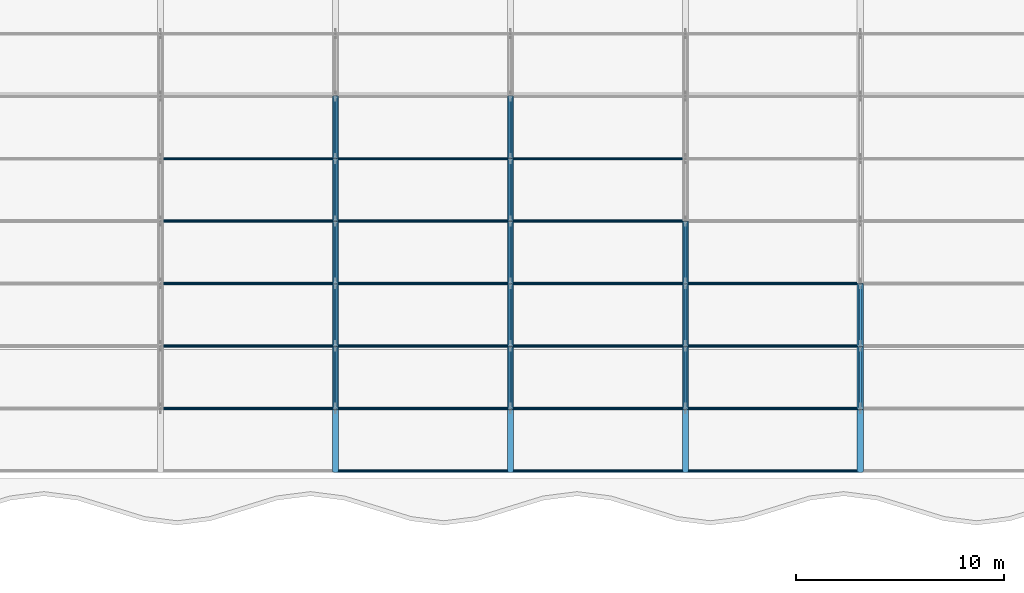
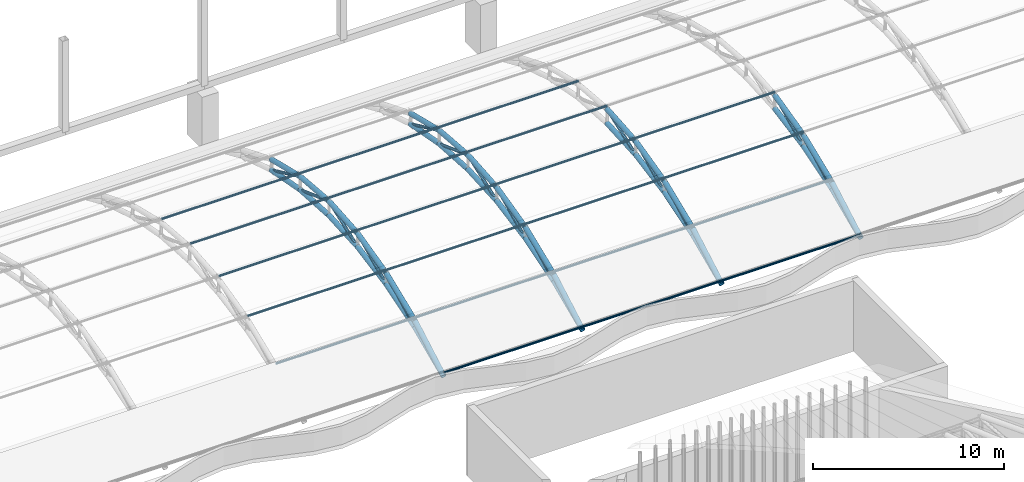
# One storey, part 51 of 163: 74 members.
"""IFC4 building model written with IfcOpenShell, lengths in metres."""

from ifc_helpers import new_model, si_unit, direction, frame, origin, origin_2d, place, context, subcontext, project, spatial, hollow_circle, extrude, material, material_profile, profile_set, type_object, element, save


model = new_model("IFC4")

# Units and contexts
model_context = context("Model", 3, precision=1e-05, world=origin(), true_north=direction((0.0, 1.0)))
body_context = subcontext(model_context, "Body", "Model", "MODEL_VIEW")
ifc_project = project(units=[si_unit("LENGTHUNIT", "METRE"), si_unit("AREAUNIT", "SQUARE_METRE"), si_unit("VOLUMEUNIT", "CUBIC_METRE"), si_unit("PLANEANGLEUNIT", "RADIAN"), si_unit("MASSUNIT", "GRAM", prefix="KILO")], contexts=[model_context])

# Site, building, storey
site_placement = place(None, origin())
site = spatial("IfcSite", under=ifc_project, at=site_placement, CompositionType="ELEMENT")
building_placement = place(site_placement, origin())
building = spatial("IfcBuilding", under=site, at=building_placement, Name="Rain Tree Exposition and Congress Centre", CompositionType="ELEMENT")
storey_placement = place(building_placement, frame((0.0, 0.0, 10.5)))
storey = spatial("IfcBuildingStorey", under=building, at=storey_placement, Name="L02", CompositionType="ELEMENT", Elevation=10.5)

# Members
ifc_material_1 = material(Name="Steel S355J2H", Category="steel")
ifc_material_profile_1 = material_profile(ifc_material_1, hollow_circle(Radius=0.090087890625, WallThickness=0.008056640625, at=origin_2d()), Name="CHS 180x8")
ifc_profile_set_1 = profile_set([ifc_material_profile_1], Name="Steel S355J2H")
member_type_1 = type_object("IfcMemberType", Name="Steel brace member CHS 180x8", PredefinedType="BRACE", material=ifc_profile_set_1)
member_1_placement = place(storey_placement, frame((193.199951171875, 78.60009765625, 1.4423828125), z_axis=(0.0, 0.880818418444, 0.473454236151), x_axis=(-1.0, 0.0, 0.0)))
element("IfcMember", 1, at=member_1_placement, inside=storey, type_object=member_type_1, Name="Roof truss 24 diagonal 1", PredefinedType="BRACE", context=body_context, shape_type="SweptSolid", body=[
    extrude(hollow_circle(Radius=0.090087890625, WallThickness=0.008056640625, at=origin_2d()), origin(), (0.0, 0.0, 1.0), 3.406005859375),
])
member_2_placement = place(storey_placement, frame((193.199951171875, 81.60009765625, 2.3798828125), z_axis=(0.0, 0.905430616583, 0.424494285655), x_axis=(-1.0, 0.0, 0.0)))
element("IfcMember", 2, at=member_2_placement, inside=storey, type_object=member_type_1, Name="Roof truss 24 diagonal 2", PredefinedType="BRACE", context=body_context, shape_type="SweptSolid", body=[
    extrude(hollow_circle(Radius=0.090087890625, WallThickness=0.008056640625, at=origin_2d()), origin(), (0.0, 0.0, 1.0), 3.313232421875),
])
for number, where, z_axis, x_axis, name in (
    (3, (193.199951171875, 84.60009765625, 2.9423828125), (0.0, 0.940121356633, 0.340839896143), (-1.0, 0.0, 0.0), "Roof truss 24 diagonal 3"),
    (4, (193.199951171875, 90.60009765625, 2.9423828125), (0.0, -0.940121356633, 0.340839896143), (1.0, 0.0, 0.0), "Roof truss 24 diagonal 4"),
):
    element("IfcMember", number, at=place(storey_placement, frame(where, z_axis=z_axis, x_axis=x_axis)), inside=storey, type_object=member_type_1, Name=name, PredefinedType="BRACE", context=body_context, shape_type="SweptSolid", body=[
        extrude(hollow_circle(Radius=0.090087890625, WallThickness=0.008056640625, at=origin_2d()), origin(), (0.0, 0.0, 1.0), 3.191162109375),
    ])
member_3_placement = place(storey_placement, frame((193.199951171875, 93.60009765625, 2.3798828125), z_axis=(0.0, -0.905430616583, 0.424494285655), x_axis=(1.0, 0.0, 0.0)))
element("IfcMember", 5, at=member_3_placement, inside=storey, type_object=member_type_1, Name="Roof truss 24 diagonal 5", PredefinedType="BRACE", context=body_context, shape_type="SweptSolid", body=[
    extrude(hollow_circle(Radius=0.090087890625, WallThickness=0.008056640625, at=origin_2d()), origin(), (0.0, 0.0, 1.0), 3.313232421875),
])
member_4_placement = place(storey_placement, frame((201.60009765625, 78.60009765625, 1.4423828125), z_axis=(0.0, 0.880818418444, 0.473454236151), x_axis=(-1.0, 0.0, 0.0)))
element("IfcMember", 6, at=member_4_placement, inside=storey, type_object=member_type_1, Name="Roof truss 25 diagonal 1", PredefinedType="BRACE", context=body_context, shape_type="SweptSolid", body=[
    extrude(hollow_circle(Radius=0.090087890625, WallThickness=0.008056640625, at=origin_2d()), origin(), (0.0, 0.0, 1.0), 3.406005859375),
])
member_5_placement = place(storey_placement, frame((201.60009765625, 81.60009765625, 2.3798828125), z_axis=(0.0, 0.905430616583, 0.424494285655), x_axis=(-1.0, 0.0, 0.0)))
element("IfcMember", 7, at=member_5_placement, inside=storey, type_object=member_type_1, Name="Roof truss 25 diagonal 2", PredefinedType="BRACE", context=body_context, shape_type="SweptSolid", body=[
    extrude(hollow_circle(Radius=0.090087890625, WallThickness=0.008056640625, at=origin_2d()), origin(), (0.0, 0.0, 1.0), 3.313232421875),
])
for number, where, z_axis, x_axis, name in (
    (8, (201.60009765625, 84.60009765625, 2.9423828125), (0.0, 0.940121356633, 0.340839896143), (-1.0, 0.0, 0.0), "Roof truss 25 diagonal 3"),
    (9, (201.60009765625, 90.60009765625, 2.9423828125), (0.0, -0.940121356633, 0.340839896143), (1.0, 0.0, 0.0), "Roof truss 25 diagonal 4"),
):
    element("IfcMember", number, at=place(storey_placement, frame(where, z_axis=z_axis, x_axis=x_axis)), inside=storey, type_object=member_type_1, Name=name, PredefinedType="BRACE", context=body_context, shape_type="SweptSolid", body=[
        extrude(hollow_circle(Radius=0.090087890625, WallThickness=0.008056640625, at=origin_2d()), origin(), (0.0, 0.0, 1.0), 3.191162109375),
    ])
member_6_placement = place(storey_placement, frame((201.60009765625, 93.60009765625, 2.3798828125), z_axis=(0.0, -0.905430616583, 0.424494285655), x_axis=(1.0, 0.0, 0.0)))
element("IfcMember", 10, at=member_6_placement, inside=storey, type_object=member_type_1, Name="Roof truss 25 diagonal 5", PredefinedType="BRACE", context=body_context, shape_type="SweptSolid", body=[
    extrude(hollow_circle(Radius=0.090087890625, WallThickness=0.008056640625, at=origin_2d()), origin(), (0.0, 0.0, 1.0), 3.313232421875),
])
member_7_placement = place(storey_placement, frame((210.0, 78.60009765625, 1.4423828125), z_axis=(0.0, 0.880818418444, 0.473454236151), x_axis=(-1.0, 0.0, 0.0)))
element("IfcMember", 11, at=member_7_placement, inside=storey, type_object=member_type_1, Name="Roof truss 26 diagonal 1", PredefinedType="BRACE", context=body_context, shape_type="SweptSolid", body=[
    extrude(hollow_circle(Radius=0.090087890625, WallThickness=0.008056640625, at=origin_2d()), origin(), (0.0, 0.0, 1.0), 3.406005859375),
])
member_8_placement = place(storey_placement, frame((210.0, 81.60009765625, 2.3798828125), z_axis=(0.0, 0.905430616583, 0.424494285655), x_axis=(-1.0, 0.0, 0.0)))
element("IfcMember", 12, at=member_8_placement, inside=storey, type_object=member_type_1, Name="Roof truss 26 diagonal 2", PredefinedType="BRACE", context=body_context, shape_type="SweptSolid", body=[
    extrude(hollow_circle(Radius=0.090087890625, WallThickness=0.008056640625, at=origin_2d()), origin(), (0.0, 0.0, 1.0), 3.313232421875),
])
member_9_placement = place(storey_placement, frame((210.0, 84.60009765625, 2.9423828125), z_axis=(0.0, 0.940121356633, 0.340839896143), x_axis=(-1.0, 0.0, 0.0)))
element("IfcMember", 13, at=member_9_placement, inside=storey, type_object=member_type_1, Name="Roof truss 26 diagonal 3", PredefinedType="BRACE", context=body_context, shape_type="SweptSolid", body=[
    extrude(hollow_circle(Radius=0.090087890625, WallThickness=0.008056640625, at=origin_2d()), origin(), (0.0, 0.0, 1.0), 3.191162109375),
])
member_10_placement = place(storey_placement, frame((218.39990234375, 78.60009765625, 1.4423828125), z_axis=(0.0, 0.880818418444, 0.473454236151), x_axis=(-1.0, 0.0, 0.0)))
element("IfcMember", 14, at=member_10_placement, inside=storey, type_object=member_type_1, Name="Roof truss 27 diagonal 1", PredefinedType="BRACE", context=body_context, shape_type="SweptSolid", body=[
    extrude(hollow_circle(Radius=0.090087890625, WallThickness=0.008056640625, at=origin_2d()), origin(), (0.0, 0.0, 1.0), 3.406005859375),
])
member_11_placement = place(storey_placement, frame((218.39990234375, 81.60009765625, 2.3798828125), z_axis=(0.0, 0.905430616583, 0.424494285655), x_axis=(-1.0, 0.0, 0.0)))
element("IfcMember", 15, at=member_11_placement, inside=storey, type_object=member_type_1, Name="Roof truss 27 diagonal 2", PredefinedType="BRACE", context=body_context, shape_type="SweptSolid", body=[
    extrude(hollow_circle(Radius=0.090087890625, WallThickness=0.008056640625, at=origin_2d()), origin(), (0.0, 0.0, 1.0), 3.313232421875),
])
ifc_material_2 = material(Name="Steel S355J2H", Category="steel")
ifc_material_profile_2 = material_profile(ifc_material_2, hollow_circle(Radius=0.14990234375, WallThickness=0.013916015625, at=origin_2d()), Name="CHS 300x14")
ifc_profile_set_2 = profile_set([ifc_material_profile_2], Name="Steel S355J2H")
member_type_2 = type_object("IfcMemberType", Name="Steel chord member CHS 300x14", PredefinedType="CHORD", material=ifc_profile_set_2)
member_12_placement = place(storey_placement, frame((193.199951171875, 75.60009765625, 0.1298828125), z_axis=(0.0, 0.869238262324, 0.494393409455), x_axis=(-1.0, 0.0, 0.0)))
element("IfcMember", 16, at=member_12_placement, inside=storey, type_object=member_type_2, Name="Roof truss 24 top chord 1", PredefinedType="CHORD", context=body_context, shape_type="SweptSolid", body=[
    extrude(hollow_circle(Radius=0.14990234375, WallThickness=0.013916015625, at=origin_2d()), origin(), (0.0, 0.0, 1.0), 3.451416015625),
])
member_13_placement = place(storey_placement, frame((193.199951171875, 75.60009765625, 0.1298828125), z_axis=(0.0, 0.916157334902, 0.40081883402), x_axis=(-1.0, 0.0, 0.0)))
element("IfcMember", 17, at=member_13_placement, inside=storey, type_object=member_type_2, Name="Roof truss 24 bottom chord 1", PredefinedType="CHORD", context=body_context, shape_type="SweptSolid", body=[
    extrude(hollow_circle(Radius=0.14990234375, WallThickness=0.013916015625, at=origin_2d()), origin(), (0.0, 0.0, 1.0), 3.274658203125),
])
member_14_placement = place(storey_placement, frame((193.199951171875, 78.60009765625, 1.836181640625), z_axis=(0.0, 0.926466577122, 0.376377046956), x_axis=(-1.0, 0.0, 0.0)))
element("IfcMember", 18, at=member_14_placement, inside=storey, type_object=member_type_2, Name="Roof truss 24 top chord 2", PredefinedType="CHORD", context=body_context, shape_type="SweptSolid", body=[
    extrude(hollow_circle(Radius=0.14990234375, WallThickness=0.013916015625, at=origin_2d()), origin(), (0.0, 0.0, 1.0), 3.238037109375),
])
member_15_placement = place(storey_placement, frame((193.199951171875, 78.60009765625, 1.4423828125), z_axis=(0.0, 0.954479978035, 0.298274993136), x_axis=(-1.0, 0.0, 0.0)))
element("IfcMember", 19, at=member_15_placement, inside=storey, type_object=member_type_2, Name="Roof truss 24 bottom chord 2", PredefinedType="CHORD", context=body_context, shape_type="SweptSolid", body=[
    extrude(hollow_circle(Radius=0.14990234375, WallThickness=0.013916015625, at=origin_2d()), origin(), (0.0, 0.0, 1.0), 3.14306640625),
])
member_16_placement = place(storey_placement, frame((193.199951171875, 81.60009765625, 3.054931640625), z_axis=(0.0, 0.971539868448, 0.236876094228), x_axis=(-1.0, 0.0, 0.0)))
element("IfcMember", 20, at=member_16_placement, inside=storey, type_object=member_type_2, Name="Roof truss 24 top chord 3", PredefinedType="CHORD", context=body_context, shape_type="SweptSolid", body=[
    extrude(hollow_circle(Radius=0.14990234375, WallThickness=0.013916015625, at=origin_2d()), origin(), (0.0, 0.0, 1.0), 3.087890625),
])
member_17_placement = place(storey_placement, frame((193.199951171875, 81.60009765625, 2.3798828125), z_axis=(0.0, 0.982872186934, 0.18428853505), x_axis=(-1.0, 0.0, 0.0)))
element("IfcMember", 21, at=member_17_placement, inside=storey, type_object=member_type_2, Name="Roof truss 24 bottom chord 3", PredefinedType="CHORD", context=body_context, shape_type="SweptSolid", body=[
    extrude(hollow_circle(Radius=0.14990234375, WallThickness=0.013916015625, at=origin_2d()), origin(), (0.0, 0.0, 1.0), 3.05224609375),
])
member_18_placement = place(storey_placement, frame((193.199951171875, 84.60009765625, 3.786376953125), z_axis=(0.0, 0.996718090462, 0.0809508996), x_axis=(-1.0, 0.0, 0.0)))
element("IfcMember", 22, at=member_18_placement, inside=storey, type_object=member_type_2, Name="Roof truss 24 top chord 4", PredefinedType="CHORD", context=body_context, shape_type="SweptSolid", body=[
    extrude(hollow_circle(Radius=0.14990234375, WallThickness=0.013916015625, at=origin_2d()), origin(), (0.0, 0.0, 1.0), 3.009765625),
])
member_19_placement = place(storey_placement, frame((193.199951171875, 84.60009765625, 2.9423828125), z_axis=(0.0, 0.998052578483, 0.062378286155), x_axis=(-1.0, 0.0, 0.0)))
element("IfcMember", 23, at=member_19_placement, inside=storey, type_object=member_type_2, Name="Roof truss 24 bottom chord 4", PredefinedType="CHORD", context=body_context, shape_type="SweptSolid", body=[
    extrude(hollow_circle(Radius=0.14990234375, WallThickness=0.013916015625, at=origin_2d()), origin(), (0.0, 0.0, 1.0), 3.005859375),
])
member_20_placement = place(storey_placement, frame((193.199951171875, 87.60009765625, 4.030029296875), z_axis=(0.0, 0.996718090462, -0.0809508996), x_axis=(-1.0, 0.0, 0.0)))
element("IfcMember", 24, at=member_20_placement, inside=storey, type_object=member_type_2, Name="Roof truss 24 top chord 5", PredefinedType="CHORD", context=body_context, shape_type="SweptSolid", body=[
    extrude(hollow_circle(Radius=0.14990234375, WallThickness=0.013916015625, at=origin_2d()), origin(), (0.0, 0.0, 1.0), 3.009765625),
])
member_21_placement = place(storey_placement, frame((193.199951171875, 87.60009765625, 3.1298828125), z_axis=(0.0, 0.998052578483, -0.062378286155), x_axis=(-1.0, 0.0, 0.0)))
element("IfcMember", 25, at=member_21_placement, inside=storey, type_object=member_type_2, Name="Roof truss 24 bottom chord 5", PredefinedType="CHORD", context=body_context, shape_type="SweptSolid", body=[
    extrude(hollow_circle(Radius=0.14990234375, WallThickness=0.013916015625, at=origin_2d()), origin(), (0.0, 0.0, 1.0), 3.005859375),
])
member_22_placement = place(storey_placement, frame((193.199951171875, 90.60009765625, 3.786376953125), z_axis=(0.0, 0.971539868448, -0.236876094228), x_axis=(-1.0, 0.0, 0.0)))
element("IfcMember", 26, at=member_22_placement, inside=storey, type_object=member_type_2, Name="Roof truss 24 top chord 6", PredefinedType="CHORD", context=body_context, shape_type="SweptSolid", body=[
    extrude(hollow_circle(Radius=0.14990234375, WallThickness=0.013916015625, at=origin_2d()), origin(), (0.0, 0.0, 1.0), 3.087890625),
])
member_23_placement = place(storey_placement, frame((193.199951171875, 90.60009765625, 2.9423828125), z_axis=(0.0, 0.982872186934, -0.18428853505), x_axis=(-1.0, 0.0, 0.0)))
element("IfcMember", 27, at=member_23_placement, inside=storey, type_object=member_type_2, Name="Roof truss 24 bottom chord 6", PredefinedType="CHORD", context=body_context, shape_type="SweptSolid", body=[
    extrude(hollow_circle(Radius=0.14990234375, WallThickness=0.013916015625, at=origin_2d()), origin(), (0.0, 0.0, 1.0), 3.05224609375),
])
member_24_placement = place(storey_placement, frame((201.60009765625, 75.60009765625, 0.1298828125), z_axis=(0.0, 0.869238262324, 0.494393409455), x_axis=(-1.0, 0.0, 0.0)))
element("IfcMember", 28, at=member_24_placement, inside=storey, type_object=member_type_2, Name="Roof truss 25 top chord 1", PredefinedType="CHORD", context=body_context, shape_type="SweptSolid", body=[
    extrude(hollow_circle(Radius=0.14990234375, WallThickness=0.013916015625, at=origin_2d()), origin(), (0.0, 0.0, 1.0), 3.451416015625),
])
member_25_placement = place(storey_placement, frame((201.60009765625, 75.60009765625, 0.1298828125), z_axis=(0.0, 0.916157334902, 0.40081883402), x_axis=(-1.0, 0.0, 0.0)))
element("IfcMember", 29, at=member_25_placement, inside=storey, type_object=member_type_2, Name="Roof truss 25 bottom chord 1", PredefinedType="CHORD", context=body_context, shape_type="SweptSolid", body=[
    extrude(hollow_circle(Radius=0.14990234375, WallThickness=0.013916015625, at=origin_2d()), origin(), (0.0, 0.0, 1.0), 3.274658203125),
])
member_26_placement = place(storey_placement, frame((201.60009765625, 78.60009765625, 1.836181640625), z_axis=(0.0, 0.926466577122, 0.376377046956), x_axis=(-1.0, 0.0, 0.0)))
element("IfcMember", 30, at=member_26_placement, inside=storey, type_object=member_type_2, Name="Roof truss 25 top chord 2", PredefinedType="CHORD", context=body_context, shape_type="SweptSolid", body=[
    extrude(hollow_circle(Radius=0.14990234375, WallThickness=0.013916015625, at=origin_2d()), origin(), (0.0, 0.0, 1.0), 3.238037109375),
])
member_27_placement = place(storey_placement, frame((201.60009765625, 78.60009765625, 1.4423828125), z_axis=(0.0, 0.954479978035, 0.298274993136), x_axis=(-1.0, 0.0, 0.0)))
element("IfcMember", 31, at=member_27_placement, inside=storey, type_object=member_type_2, Name="Roof truss 25 bottom chord 2", PredefinedType="CHORD", context=body_context, shape_type="SweptSolid", body=[
    extrude(hollow_circle(Radius=0.14990234375, WallThickness=0.013916015625, at=origin_2d()), origin(), (0.0, 0.0, 1.0), 3.14306640625),
])
member_28_placement = place(storey_placement, frame((201.60009765625, 81.60009765625, 3.054931640625), z_axis=(0.0, 0.971539868448, 0.236876094228), x_axis=(-1.0, 0.0, 0.0)))
element("IfcMember", 32, at=member_28_placement, inside=storey, type_object=member_type_2, Name="Roof truss 25 top chord 3", PredefinedType="CHORD", context=body_context, shape_type="SweptSolid", body=[
    extrude(hollow_circle(Radius=0.14990234375, WallThickness=0.013916015625, at=origin_2d()), origin(), (0.0, 0.0, 1.0), 3.087890625),
])
member_29_placement = place(storey_placement, frame((201.60009765625, 81.60009765625, 2.3798828125), z_axis=(0.0, 0.982872186934, 0.18428853505), x_axis=(-1.0, 0.0, 0.0)))
element("IfcMember", 33, at=member_29_placement, inside=storey, type_object=member_type_2, Name="Roof truss 25 bottom chord 3", PredefinedType="CHORD", context=body_context, shape_type="SweptSolid", body=[
    extrude(hollow_circle(Radius=0.14990234375, WallThickness=0.013916015625, at=origin_2d()), origin(), (0.0, 0.0, 1.0), 3.05224609375),
])
member_30_placement = place(storey_placement, frame((201.60009765625, 84.60009765625, 3.786376953125), z_axis=(0.0, 0.996718090462, 0.0809508996), x_axis=(-1.0, 0.0, 0.0)))
element("IfcMember", 34, at=member_30_placement, inside=storey, type_object=member_type_2, Name="Roof truss 25 top chord 4", PredefinedType="CHORD", context=body_context, shape_type="SweptSolid", body=[
    extrude(hollow_circle(Radius=0.14990234375, WallThickness=0.013916015625, at=origin_2d()), origin(), (0.0, 0.0, 1.0), 3.009765625),
])
member_31_placement = place(storey_placement, frame((201.60009765625, 84.60009765625, 2.9423828125), z_axis=(0.0, 0.998052578483, 0.062378286155), x_axis=(-1.0, 0.0, 0.0)))
element("IfcMember", 35, at=member_31_placement, inside=storey, type_object=member_type_2, Name="Roof truss 25 bottom chord 4", PredefinedType="CHORD", context=body_context, shape_type="SweptSolid", body=[
    extrude(hollow_circle(Radius=0.14990234375, WallThickness=0.013916015625, at=origin_2d()), origin(), (0.0, 0.0, 1.0), 3.005859375),
])
member_32_placement = place(storey_placement, frame((201.60009765625, 87.60009765625, 4.030029296875), z_axis=(0.0, 0.996718090462, -0.0809508996), x_axis=(-1.0, 0.0, 0.0)))
element("IfcMember", 36, at=member_32_placement, inside=storey, type_object=member_type_2, Name="Roof truss 25 top chord 5", PredefinedType="CHORD", context=body_context, shape_type="SweptSolid", body=[
    extrude(hollow_circle(Radius=0.14990234375, WallThickness=0.013916015625, at=origin_2d()), origin(), (0.0, 0.0, 1.0), 3.009765625),
])
member_33_placement = place(storey_placement, frame((201.60009765625, 87.60009765625, 3.1298828125), z_axis=(0.0, 0.998052578483, -0.062378286155), x_axis=(-1.0, 0.0, 0.0)))
element("IfcMember", 37, at=member_33_placement, inside=storey, type_object=member_type_2, Name="Roof truss 25 bottom chord 5", PredefinedType="CHORD", context=body_context, shape_type="SweptSolid", body=[
    extrude(hollow_circle(Radius=0.14990234375, WallThickness=0.013916015625, at=origin_2d()), origin(), (0.0, 0.0, 1.0), 3.005859375),
])
member_34_placement = place(storey_placement, frame((201.60009765625, 90.60009765625, 3.786376953125), z_axis=(0.0, 0.971539868448, -0.236876094228), x_axis=(-1.0, 0.0, 0.0)))
element("IfcMember", 38, at=member_34_placement, inside=storey, type_object=member_type_2, Name="Roof truss 25 top chord 6", PredefinedType="CHORD", context=body_context, shape_type="SweptSolid", body=[
    extrude(hollow_circle(Radius=0.14990234375, WallThickness=0.013916015625, at=origin_2d()), origin(), (0.0, 0.0, 1.0), 3.087890625),
])
member_35_placement = place(storey_placement, frame((201.60009765625, 90.60009765625, 2.9423828125), z_axis=(0.0, 0.982872186934, -0.18428853505), x_axis=(-1.0, 0.0, 0.0)))
element("IfcMember", 39, at=member_35_placement, inside=storey, type_object=member_type_2, Name="Roof truss 25 bottom chord 6", PredefinedType="CHORD", context=body_context, shape_type="SweptSolid", body=[
    extrude(hollow_circle(Radius=0.14990234375, WallThickness=0.013916015625, at=origin_2d()), origin(), (0.0, 0.0, 1.0), 3.05224609375),
])
member_36_placement = place(storey_placement, frame((210.0, 75.60009765625, 0.1298828125), z_axis=(0.0, 0.869238262324, 0.494393409455), x_axis=(-1.0, 0.0, 0.0)))
element("IfcMember", 40, at=member_36_placement, inside=storey, type_object=member_type_2, Name="Roof truss 26 top chord 1", PredefinedType="CHORD", context=body_context, shape_type="SweptSolid", body=[
    extrude(hollow_circle(Radius=0.14990234375, WallThickness=0.013916015625, at=origin_2d()), origin(), (0.0, 0.0, 1.0), 3.451416015625),
])
member_37_placement = place(storey_placement, frame((210.0, 75.60009765625, 0.1298828125), z_axis=(0.0, 0.916157334902, 0.40081883402), x_axis=(-1.0, 0.0, 0.0)))
element("IfcMember", 41, at=member_37_placement, inside=storey, type_object=member_type_2, Name="Roof truss 26 bottom chord 1", PredefinedType="CHORD", context=body_context, shape_type="SweptSolid", body=[
    extrude(hollow_circle(Radius=0.14990234375, WallThickness=0.013916015625, at=origin_2d()), origin(), (0.0, 0.0, 1.0), 3.274658203125),
])
member_38_placement = place(storey_placement, frame((210.0, 78.60009765625, 1.836181640625), z_axis=(0.0, 0.926466577122, 0.376377046956), x_axis=(-1.0, 0.0, 0.0)))
element("IfcMember", 42, at=member_38_placement, inside=storey, type_object=member_type_2, Name="Roof truss 26 top chord 2", PredefinedType="CHORD", context=body_context, shape_type="SweptSolid", body=[
    extrude(hollow_circle(Radius=0.14990234375, WallThickness=0.013916015625, at=origin_2d()), origin(), (0.0, 0.0, 1.0), 3.238037109375),
])
member_39_placement = place(storey_placement, frame((210.0, 78.60009765625, 1.4423828125), z_axis=(0.0, 0.954479978035, 0.298274993136), x_axis=(-1.0, 0.0, 0.0)))
element("IfcMember", 43, at=member_39_placement, inside=storey, type_object=member_type_2, Name="Roof truss 26 bottom chord 2", PredefinedType="CHORD", context=body_context, shape_type="SweptSolid", body=[
    extrude(hollow_circle(Radius=0.14990234375, WallThickness=0.013916015625, at=origin_2d()), origin(), (0.0, 0.0, 1.0), 3.14306640625),
])
member_40_placement = place(storey_placement, frame((210.0, 81.60009765625, 3.054931640625), z_axis=(0.0, 0.971539868448, 0.236876094228), x_axis=(-1.0, 0.0, 0.0)))
element("IfcMember", 44, at=member_40_placement, inside=storey, type_object=member_type_2, Name="Roof truss 26 top chord 3", PredefinedType="CHORD", context=body_context, shape_type="SweptSolid", body=[
    extrude(hollow_circle(Radius=0.14990234375, WallThickness=0.013916015625, at=origin_2d()), origin(), (0.0, 0.0, 1.0), 3.087890625),
])
member_41_placement = place(storey_placement, frame((210.0, 81.60009765625, 2.3798828125), z_axis=(0.0, 0.982872186934, 0.18428853505), x_axis=(-1.0, 0.0, 0.0)))
element("IfcMember", 45, at=member_41_placement, inside=storey, type_object=member_type_2, Name="Roof truss 26 bottom chord 3", PredefinedType="CHORD", context=body_context, shape_type="SweptSolid", body=[
    extrude(hollow_circle(Radius=0.14990234375, WallThickness=0.013916015625, at=origin_2d()), origin(), (0.0, 0.0, 1.0), 3.05224609375),
])
member_42_placement = place(storey_placement, frame((210.0, 84.60009765625, 3.786376953125), z_axis=(0.0, 0.996718090462, 0.0809508996), x_axis=(-1.0, 0.0, 0.0)))
element("IfcMember", 46, at=member_42_placement, inside=storey, type_object=member_type_2, Name="Roof truss 26 top chord 4", PredefinedType="CHORD", context=body_context, shape_type="SweptSolid", body=[
    extrude(hollow_circle(Radius=0.14990234375, WallThickness=0.013916015625, at=origin_2d()), origin(), (0.0, 0.0, 1.0), 3.009765625),
])
member_43_placement = place(storey_placement, frame((210.0, 84.60009765625, 2.9423828125), z_axis=(0.0, 0.998052578483, 0.062378286155), x_axis=(-1.0, 0.0, 0.0)))
element("IfcMember", 47, at=member_43_placement, inside=storey, type_object=member_type_2, Name="Roof truss 26 bottom chord 4", PredefinedType="CHORD", context=body_context, shape_type="SweptSolid", body=[
    extrude(hollow_circle(Radius=0.14990234375, WallThickness=0.013916015625, at=origin_2d()), origin(), (0.0, 0.0, 1.0), 3.005859375),
])
member_44_placement = place(storey_placement, frame((218.39990234375, 75.60009765625, 0.1298828125), z_axis=(0.0, 0.869238262324, 0.494393409455), x_axis=(-1.0, 0.0, 0.0)))
element("IfcMember", 48, at=member_44_placement, inside=storey, type_object=member_type_2, Name="Roof truss 27 top chord 1", PredefinedType="CHORD", context=body_context, shape_type="SweptSolid", body=[
    extrude(hollow_circle(Radius=0.14990234375, WallThickness=0.013916015625, at=origin_2d()), origin(), (0.0, 0.0, 1.0), 3.451416015625),
])
member_45_placement = place(storey_placement, frame((218.39990234375, 75.60009765625, 0.1298828125), z_axis=(0.0, 0.916157334902, 0.40081883402), x_axis=(-1.0, 0.0, 0.0)))
element("IfcMember", 49, at=member_45_placement, inside=storey, type_object=member_type_2, Name="Roof truss 27 bottom chord 1", PredefinedType="CHORD", context=body_context, shape_type="SweptSolid", body=[
    extrude(hollow_circle(Radius=0.14990234375, WallThickness=0.013916015625, at=origin_2d()), origin(), (0.0, 0.0, 1.0), 3.274658203125),
])
member_46_placement = place(storey_placement, frame((218.39990234375, 78.60009765625, 1.836181640625), z_axis=(0.0, 0.926466577122, 0.376377046956), x_axis=(-1.0, 0.0, 0.0)))
element("IfcMember", 50, at=member_46_placement, inside=storey, type_object=member_type_2, Name="Roof truss 27 top chord 2", PredefinedType="CHORD", context=body_context, shape_type="SweptSolid", body=[
    extrude(hollow_circle(Radius=0.14990234375, WallThickness=0.013916015625, at=origin_2d()), origin(), (0.0, 0.0, 1.0), 3.238037109375),
])
member_47_placement = place(storey_placement, frame((218.39990234375, 78.60009765625, 1.4423828125), z_axis=(0.0, 0.954479978035, 0.298274993136), x_axis=(-1.0, 0.0, 0.0)))
element("IfcMember", 51, at=member_47_placement, inside=storey, type_object=member_type_2, Name="Roof truss 27 bottom chord 2", PredefinedType="CHORD", context=body_context, shape_type="SweptSolid", body=[
    extrude(hollow_circle(Radius=0.14990234375, WallThickness=0.013916015625, at=origin_2d()), origin(), (0.0, 0.0, 1.0), 3.14306640625),
])
member_48_placement = place(storey_placement, frame((218.39990234375, 81.60009765625, 3.054931640625), z_axis=(0.0, 0.971539868448, 0.236876094228), x_axis=(-1.0, 0.0, 0.0)))
element("IfcMember", 52, at=member_48_placement, inside=storey, type_object=member_type_2, Name="Roof truss 27 top chord 3", PredefinedType="CHORD", context=body_context, shape_type="SweptSolid", body=[
    extrude(hollow_circle(Radius=0.14990234375, WallThickness=0.013916015625, at=origin_2d()), origin(), (0.0, 0.0, 1.0), 3.087890625),
])
member_49_placement = place(storey_placement, frame((218.39990234375, 81.60009765625, 2.3798828125), z_axis=(0.0, 0.982872186934, 0.18428853505), x_axis=(-1.0, 0.0, 0.0)))
element("IfcMember", 53, at=member_49_placement, inside=storey, type_object=member_type_2, Name="Roof truss 27 bottom chord 3", PredefinedType="CHORD", context=body_context, shape_type="SweptSolid", body=[
    extrude(hollow_circle(Radius=0.14990234375, WallThickness=0.013916015625, at=origin_2d()), origin(), (0.0, 0.0, 1.0), 3.05224609375),
])
ifc_material_3 = material(Name="Steel S355J2H", Category="steel")
ifc_material_profile_3 = material_profile(ifc_material_3, hollow_circle(Radius=0.070068359375, WallThickness=0.006103515625, at=origin_2d()), Name="CHS 140x6")
ifc_profile_set_3 = profile_set([ifc_material_profile_3], Name="Steel S355J2H")
member_type_3 = type_object("IfcMemberType", Name="Steel purlin member CHS 140x6", PredefinedType="PURLIN", material=ifc_profile_set_3)
member_50_placement = place(storey_placement, frame((193.199951171875, 75.60009765625, 0.35009765625), z_axis=(1.0, 0.0, 0.0), x_axis=(0.0, 1.0, 0.0)))
element("IfcMember", 54, at=member_50_placement, inside=storey, type_object=member_type_3, Name="Roof purlin 1.24", PredefinedType="PURLIN", context=body_context, shape_type="SweptSolid", body=[
    extrude(hollow_circle(Radius=0.070068359375, WallThickness=0.006103515625, at=origin_2d()), origin(), (0.0, 0.0, 1.0), 8.400146484375),
])
for number, where, z_axis, x_axis, name in (
    (55, (201.60009765625, 75.60009765625, 0.35009765625), (1.0, 0.0, 0.0), (0.0, 1.0, 0.0), "Roof purlin 1.25"),
    (56, (210.0, 75.60009765625, 0.35009765625), (1.0, 0.0, 0.0), (0.0, 1.0, 0.0), "Roof purlin 1.26"),
    (57, (184.800048828125, 78.60009765625, 2.056396484375), (1.0, 0.0, 0.0), (0.0, 1.0, 0.0), "Roof purlin 2.23"),
):
    element("IfcMember", number, at=place(storey_placement, frame(where, z_axis=z_axis, x_axis=x_axis)), inside=storey, type_object=member_type_3, Name=name, PredefinedType="PURLIN", context=body_context, shape_type="SweptSolid", body=[
        extrude(hollow_circle(Radius=0.070068359375, WallThickness=0.006103515625, at=origin_2d()), origin(), (0.0, 0.0, 1.0), 8.39990234375),
    ])
member_51_placement = place(storey_placement, frame((193.199951171875, 78.60009765625, 2.056396484375), z_axis=(1.0, 0.0, 0.0), x_axis=(0.0, 1.0, 0.0)))
element("IfcMember", 58, at=member_51_placement, inside=storey, type_object=member_type_3, Name="Roof purlin 2.24", PredefinedType="PURLIN", context=body_context, shape_type="SweptSolid", body=[
    extrude(hollow_circle(Radius=0.070068359375, WallThickness=0.006103515625, at=origin_2d()), origin(), (0.0, 0.0, 1.0), 8.400146484375),
])
for number, where, z_axis, x_axis, name in (
    (59, (201.60009765625, 78.60009765625, 2.056396484375), (1.0, 0.0, 0.0), (0.0, 1.0, 0.0), "Roof purlin 2.25"),
    (60, (210.0, 78.60009765625, 2.056396484375), (1.0, 0.0, 0.0), (0.0, 1.0, 0.0), "Roof purlin 2.26"),
    (61, (184.800048828125, 81.60009765625, 3.27490234375), (1.0, 0.0, 0.0), (0.0, 1.0, 0.0), "Roof purlin 3.23"),
):
    element("IfcMember", number, at=place(storey_placement, frame(where, z_axis=z_axis, x_axis=x_axis)), inside=storey, type_object=member_type_3, Name=name, PredefinedType="PURLIN", context=body_context, shape_type="SweptSolid", body=[
        extrude(hollow_circle(Radius=0.070068359375, WallThickness=0.006103515625, at=origin_2d()), origin(), (0.0, 0.0, 1.0), 8.39990234375),
    ])
member_52_placement = place(storey_placement, frame((193.199951171875, 81.60009765625, 3.27490234375), z_axis=(1.0, 0.0, 0.0), x_axis=(0.0, 1.0, 0.0)))
element("IfcMember", 62, at=member_52_placement, inside=storey, type_object=member_type_3, Name="Roof purlin 3.24", PredefinedType="PURLIN", context=body_context, shape_type="SweptSolid", body=[
    extrude(hollow_circle(Radius=0.070068359375, WallThickness=0.006103515625, at=origin_2d()), origin(), (0.0, 0.0, 1.0), 8.400146484375),
])
for number, where, z_axis, x_axis, name in (
    (63, (201.60009765625, 81.60009765625, 3.27490234375), (1.0, 0.0, 0.0), (0.0, 1.0, 0.0), "Roof purlin 3.25"),
    (64, (210.0, 81.60009765625, 3.27490234375), (1.0, 0.0, 0.0), (0.0, 1.0, 0.0), "Roof purlin 3.26"),
    (65, (184.800048828125, 84.60009765625, 4.00634765625), (1.0, 0.0, 0.0), (0.0, 1.0, 0.0), "Roof purlin 4.23"),
):
    element("IfcMember", number, at=place(storey_placement, frame(where, z_axis=z_axis, x_axis=x_axis)), inside=storey, type_object=member_type_3, Name=name, PredefinedType="PURLIN", context=body_context, shape_type="SweptSolid", body=[
        extrude(hollow_circle(Radius=0.070068359375, WallThickness=0.006103515625, at=origin_2d()), origin(), (0.0, 0.0, 1.0), 8.39990234375),
    ])
member_53_placement = place(storey_placement, frame((193.199951171875, 84.60009765625, 4.00634765625), z_axis=(1.0, 0.0, 0.0), x_axis=(0.0, 1.0, 0.0)))
element("IfcMember", 66, at=member_53_placement, inside=storey, type_object=member_type_3, Name="Roof purlin 4.24", PredefinedType="PURLIN", context=body_context, shape_type="SweptSolid", body=[
    extrude(hollow_circle(Radius=0.070068359375, WallThickness=0.006103515625, at=origin_2d()), origin(), (0.0, 0.0, 1.0), 8.400146484375),
])
for number, where, z_axis, x_axis, name in (
    (67, (201.60009765625, 84.60009765625, 4.00634765625), (1.0, 0.0, 0.0), (0.0, 1.0, 0.0), "Roof purlin 4.25"),
    (68, (210.0, 84.60009765625, 4.00634765625), (1.0, 0.0, 0.0), (0.0, 1.0, 0.0), "Roof purlin 4.26"),
    (69, (184.800048828125, 87.60009765625, 4.25), (1.0, 0.0, 0.0), (0.0, 1.0, 0.0), "Roof purlin 5.23"),
):
    element("IfcMember", number, at=place(storey_placement, frame(where, z_axis=z_axis, x_axis=x_axis)), inside=storey, type_object=member_type_3, Name=name, PredefinedType="PURLIN", context=body_context, shape_type="SweptSolid", body=[
        extrude(hollow_circle(Radius=0.070068359375, WallThickness=0.006103515625, at=origin_2d()), origin(), (0.0, 0.0, 1.0), 8.39990234375),
    ])
member_54_placement = place(storey_placement, frame((193.199951171875, 87.60009765625, 4.25), z_axis=(1.0, 0.0, 0.0), x_axis=(0.0, 1.0, 0.0)))
element("IfcMember", 70, at=member_54_placement, inside=storey, type_object=member_type_3, Name="Roof purlin 5.24", PredefinedType="PURLIN", context=body_context, shape_type="SweptSolid", body=[
    extrude(hollow_circle(Radius=0.070068359375, WallThickness=0.006103515625, at=origin_2d()), origin(), (0.0, 0.0, 1.0), 8.400146484375),
])
for number, where, z_axis, x_axis, name in (
    (71, (201.60009765625, 87.60009765625, 4.25), (1.0, 0.0, 0.0), (0.0, 1.0, 0.0), "Roof purlin 5.25"),
    (72, (184.800048828125, 90.60009765625, 4.00634765625), (1.0, 0.0, 0.0), (0.0, 1.0, 0.0), "Roof purlin 6.23"),
):
    element("IfcMember", number, at=place(storey_placement, frame(where, z_axis=z_axis, x_axis=x_axis)), inside=storey, type_object=member_type_3, Name=name, PredefinedType="PURLIN", context=body_context, shape_type="SweptSolid", body=[
        extrude(hollow_circle(Radius=0.070068359375, WallThickness=0.006103515625, at=origin_2d()), origin(), (0.0, 0.0, 1.0), 8.39990234375),
    ])
member_55_placement = place(storey_placement, frame((193.199951171875, 90.60009765625, 4.00634765625), z_axis=(1.0, 0.0, 0.0), x_axis=(0.0, 1.0, 0.0)))
element("IfcMember", 73, at=member_55_placement, inside=storey, type_object=member_type_3, Name="Roof purlin 6.24", PredefinedType="PURLIN", context=body_context, shape_type="SweptSolid", body=[
    extrude(hollow_circle(Radius=0.070068359375, WallThickness=0.006103515625, at=origin_2d()), origin(), (0.0, 0.0, 1.0), 8.400146484375),
])
member_56_placement = place(storey_placement, frame((201.60009765625, 90.60009765625, 4.00634765625), z_axis=(1.0, 0.0, 0.0), x_axis=(0.0, 1.0, 0.0)))
element("IfcMember", 74, at=member_56_placement, inside=storey, type_object=member_type_3, Name="Roof purlin 6.25", PredefinedType="PURLIN", context=body_context, shape_type="SweptSolid", body=[
    extrude(hollow_circle(Radius=0.070068359375, WallThickness=0.006103515625, at=origin_2d()), origin(), (0.0, 0.0, 1.0), 8.39990234375),
])

save(model, "model.ifc")
